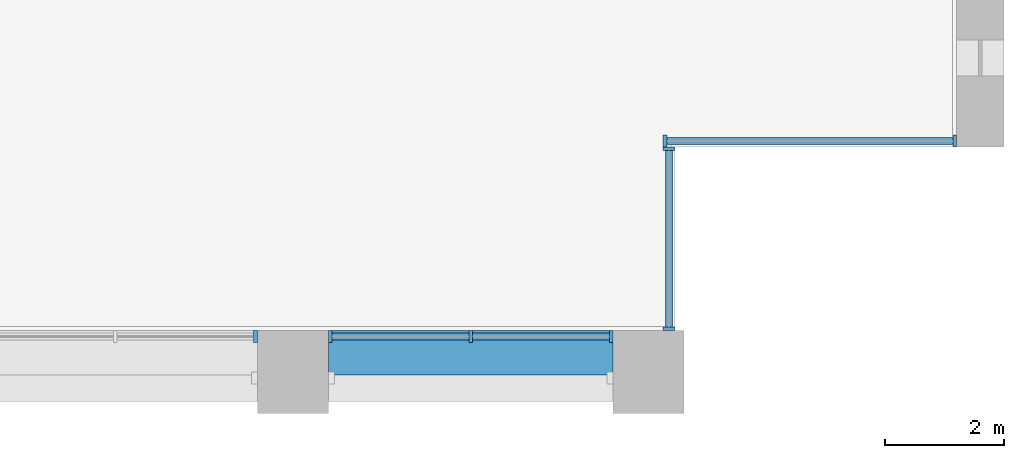
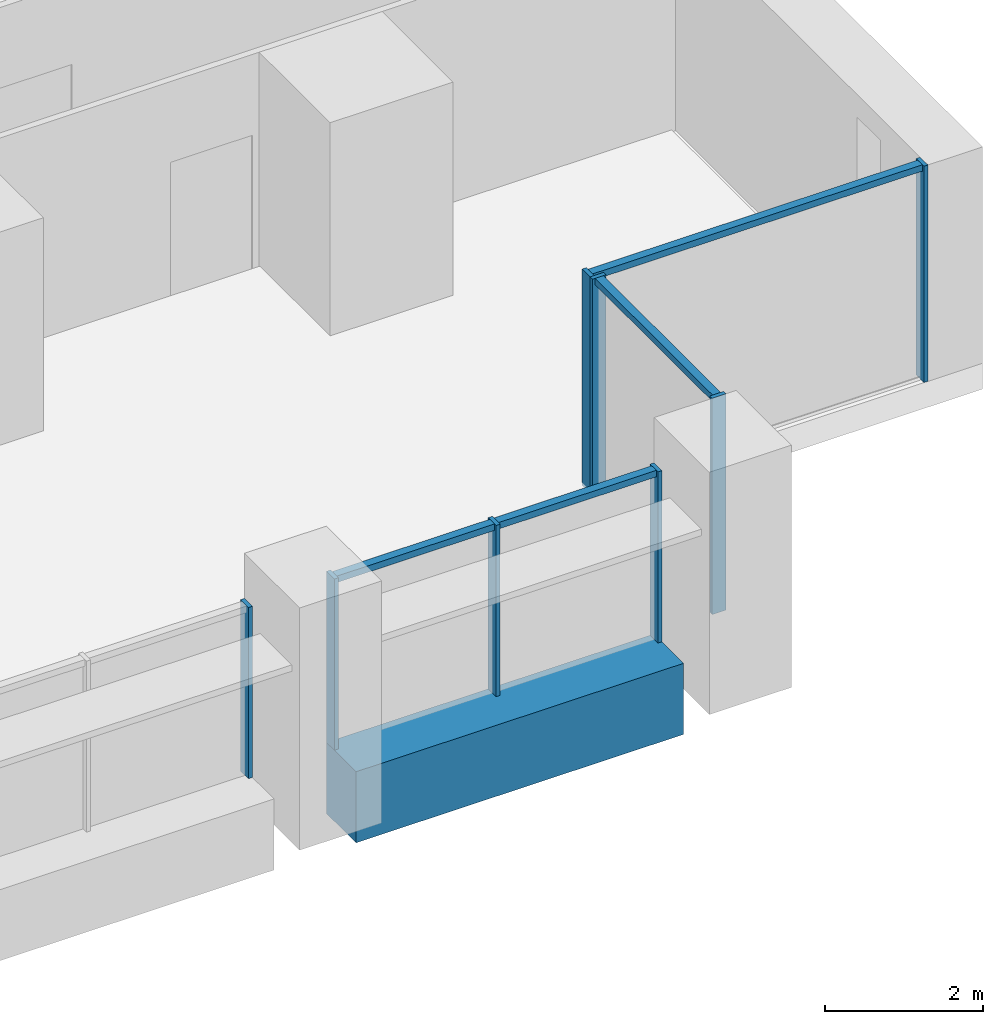
# One storey, part 5 of 18: 12 members, 1 beam, 4 elements without a shape of their own.
"""IFC4 building model written with IfcOpenShell, lengths in metres."""

from ifc_helpers import new_model, si_unit, direction, frame, origin, origin_2d, place, context, subcontext, project, spatial, rectangle, extrude, material, material_profile, profile_set, type_object, element, aggregate, save


model = new_model("IFC4")

# Units and contexts
model_context = context("Model", 3, precision=1e-05, world=origin(), true_north=direction((0.0, 1.0)))
body_context = subcontext(model_context, "Body", "Model", "MODEL_VIEW")
ifc_project = project(units=[si_unit("LENGTHUNIT", "METRE"), si_unit("AREAUNIT", "SQUARE_METRE"), si_unit("VOLUMEUNIT", "CUBIC_METRE"), si_unit("PLANEANGLEUNIT", "RADIAN"), si_unit("MASSUNIT", "GRAM", prefix="KILO")], contexts=[model_context])

# Site, building, storey
site_placement = place(None, origin())
site = spatial("IfcSite", under=ifc_project, at=site_placement, CompositionType="ELEMENT")
building_placement = place(site_placement, origin())
building = spatial("IfcBuilding", under=site, at=building_placement, Name="Calvaro Tower", CompositionType="ELEMENT")
storey_placement = place(building_placement, frame((0.0, 0.0, 30.0)))
storey = spatial("IfcBuildingStorey", under=building, at=storey_placement, Name="L06", CompositionType="ELEMENT", Elevation=30.0)

# Curtain wall, member
ifc_material_1 = material(Name="Anodised aluminium", Category="aluminium")
curtain_wall_type = type_object("IfcCurtainWallType", Name="Office curtain wall, lower zone", PredefinedType="NOTDEFINED", material=ifc_material_1)
curtain_wall_1_placement = place(storey_placement, origin())
curtain_wall_1 = element("IfcCurtainWall", 1, at=curtain_wall_1_placement, inside=storey, type_object=curtain_wall_type, Name="CW1 south curtain wall", PredefinedType="NOTDEFINED")
ifc_material_2 = material(Name="Anodised aluminium", Category="aluminium")
ifc_material_profile_1 = material_profile(ifc_material_2, rectangle(XDim=0.199951171875, YDim=0.06005859375, at=origin_2d()), Name="Mullion S1 60 x 200")
ifc_profile_set_1 = profile_set([ifc_material_profile_1], Name="Anodised aluminium")
member_type_1 = type_object("IfcMemberType", Name="Mullion S1 60 x 200", PredefinedType="MULLION", material=ifc_profile_set_1)
member_1_placement = place(storey_placement, frame((65.3701171875, 1.300048828125, 0.0), z_axis=(0.0, 0.0, 1.0), x_axis=(0.0, 1.0, 0.0)))
member_1 = element("IfcMember", 2, at=member_1_placement, type_object=member_type_1, Name="CW1 mullion 3", PredefinedType="MULLION", context=body_context, shape_type="SweptSolid", body=[
    extrude(rectangle(XDim=0.199951171875, YDim=0.06005859375, at=origin_2d()), origin(), (0.0, 0.0, 1.0), 2.64990234375),
])
aggregate(curtain_wall_1, [member_1])

# Curtain wall, members
curtain_wall_2_placement = place(storey_placement, origin())
curtain_wall_2 = element("IfcCurtainWall", 3, at=curtain_wall_2_placement, inside=storey, type_object=curtain_wall_type, Name="CW1 south curtain wall", PredefinedType="NOTDEFINED")
member_2_placement = place(storey_placement, frame((66.6298828125, 1.300048828125, 0.0), z_axis=(0.0, 0.0, 1.0), x_axis=(0.0, 1.0, 0.0)))
member_2 = element("IfcMember", 4, at=member_2_placement, type_object=member_type_1, Name="CW1 mullion 1", PredefinedType="MULLION", context=body_context, shape_type="SweptSolid", body=[
    extrude(rectangle(XDim=0.199951171875, YDim=0.06005859375, at=origin_2d()), origin(), (0.0, 0.0, 1.0), 2.64990234375),
])
member_3_placement = place(storey_placement, frame((69.0, 1.300048828125, 0.0), z_axis=(0.0, 0.0, 1.0), x_axis=(0.0, 1.0, 0.0)))
member_3 = element("IfcMember", 5, at=member_3_placement, type_object=member_type_1, Name="CW1 mullion 2", PredefinedType="MULLION", context=body_context, shape_type="SweptSolid", body=[
    extrude(rectangle(XDim=0.199951171875, YDim=0.06005859375, at=origin_2d()), origin(), (0.0, 0.0, 1.0), 2.64990234375),
])
member_4_placement = place(storey_placement, frame((71.3701171875, 1.300048828125, 0.0), z_axis=(0.0, 0.0, 1.0), x_axis=(0.0, 1.0, 0.0)))
member_4 = element("IfcMember", 6, at=member_4_placement, type_object=member_type_1, Name="CW1 mullion 3", PredefinedType="MULLION", context=body_context, shape_type="SweptSolid", body=[
    extrude(rectangle(XDim=0.199951171875, YDim=0.06005859375, at=origin_2d()), origin(), (0.0, 0.0, 1.0), 2.64990234375),
])

curtain_wall_3_placement = place(storey_placement, origin())
curtain_wall_3 = element("IfcCurtainWall", 7, at=curtain_wall_3_placement, inside=storey, type_object=curtain_wall_type, Name="CW1 corner curtain wall", PredefinedType="NOTDEFINED")
member_5_placement = place(storey_placement, frame((72.35009765625, 1.429931640625, 0.0), z_axis=(0.0, 0.0, 1.0), x_axis=(-1.0, 0.0, 0.0)))
member_5 = element("IfcMember", 8, at=member_5_placement, type_object=member_type_1, Name="CW1 mullion 1", PredefinedType="MULLION", context=body_context, shape_type="SweptSolid", body=[
    extrude(rectangle(XDim=0.199951171875, YDim=0.06005859375, at=origin_2d()), origin(), (0.0, 0.0, 1.0), 3.35009765625),
])
member_6_placement = place(storey_placement, frame((72.35009765625, 4.469970703125, 0.0), z_axis=(0.0, 0.0, 1.0), x_axis=(-1.0, 0.0, 0.0)))
member_6 = element("IfcMember", 9, at=member_6_placement, type_object=member_type_1, Name="CW1 mullion 2", PredefinedType="MULLION", context=body_context, shape_type="SweptSolid", body=[
    extrude(rectangle(XDim=0.199951171875, YDim=0.06005859375, at=origin_2d()), origin(), (0.0, 0.0, 1.0), 3.35009765625),
])

curtain_wall_4_placement = place(storey_placement, origin())
curtain_wall_4 = element("IfcCurtainWall", 10, at=curtain_wall_4_placement, inside=storey, type_object=curtain_wall_type, Name="CW1 corner curtain wall", PredefinedType="NOTDEFINED")
member_7_placement = place(storey_placement, frame((72.280029296875, 4.60009765625, 0.0), z_axis=(0.0, 0.0, 1.0), x_axis=(0.0, 1.0, 0.0)))
member_7 = element("IfcMember", 11, at=member_7_placement, type_object=member_type_1, Name="CW1 mullion 1", PredefinedType="MULLION", context=body_context, shape_type="SweptSolid", body=[
    extrude(rectangle(XDim=0.199951171875, YDim=0.06005859375, at=origin_2d()), origin(), (0.0, 0.0, 1.0), 3.35009765625),
])
member_8_placement = place(storey_placement, frame((77.169921875, 4.60009765625, 0.0), z_axis=(0.0, 0.0, 1.0), x_axis=(0.0, 1.0, 0.0)))
member_8 = element("IfcMember", 12, at=member_8_placement, type_object=member_type_1, Name="CW1 mullion 2", PredefinedType="MULLION", context=body_context, shape_type="SweptSolid", body=[
    extrude(rectangle(XDim=0.199951171875, YDim=0.06005859375, at=origin_2d()), origin(), (0.0, 0.0, 1.0), 3.35009765625),
])

# Beam
ifc_material_3 = material(Name="Concrete C50/60 precast", Category="concrete")
ifc_material_profile_2 = material_profile(ifc_material_3, rectangle(XDim=0.75, YDim=1.10009765625, at=origin_2d()), Name="RC 750x1100")
ifc_profile_set_2 = profile_set([ifc_material_profile_2], Name="Concrete C50/60 precast")
beam_type = type_object("IfcBeamType", Name="Spandrel beam 750x1100 C50/60", PredefinedType="SPANDREL", material=ifc_profile_set_2)
beam_placement = place(storey_placement, frame((66.60009765625, 1.02490234375, -0.550048828125), z_axis=(1.0, 0.0, 0.0), x_axis=(0.0, 1.0, 0.0)))
element("IfcBeam", 13, at=beam_placement, inside=storey, type_object=beam_type, Name="Spandrel beam", PredefinedType="SPANDREL", context=body_context, shape_type="SweptSolid", body=[
    extrude(rectangle(XDim=0.75, YDim=1.10009765625, at=origin_2d()), origin(), (0.0, 0.0, 1.0), 4.7998046875),
])

# Member
ifc_material_4 = material(Name="Anodised aluminium", Category="aluminium")
ifc_material_profile_3 = material_profile(ifc_material_4, rectangle(XDim=0.1201171875, YDim=0.10009765625, at=origin_2d()), Name="Transom S1 100 x 120")
ifc_profile_set_3 = profile_set([ifc_material_profile_3], Name="Anodised aluminium")
member_type_2 = type_object("IfcMemberType", Name="Transom S1 100 x 120", PredefinedType="USERDEFINED", material=ifc_profile_set_3)
member_9_placement = place(storey_placement, frame((66.659912109375, 1.300048828125, 2.60009765625), z_axis=(1.0, 0.0, 0.0), x_axis=(0.0, 1.0, 0.0)))
member_9 = element("IfcMember", 14, at=member_9_placement, type_object=member_type_2, Name="CW1 transom 1.1", ObjectType="TRANSOM", PredefinedType="USERDEFINED", context=body_context, shape_type="SweptSolid", body=[
    extrude(rectangle(XDim=0.1201171875, YDim=0.10009765625, at=origin_2d()), origin(), (0.0, 0.0, 1.0), 2.31005859375),
])

member_10_placement = place(storey_placement, frame((69.030029296875, 1.300048828125, 2.60009765625), z_axis=(1.0, 0.0, 0.0), x_axis=(0.0, 1.0, 0.0)))
member_10 = element("IfcMember", 15, at=member_10_placement, type_object=member_type_2, Name="CW1 transom 2.1", ObjectType="TRANSOM", PredefinedType="USERDEFINED", context=body_context, shape_type="SweptSolid", body=[
    extrude(rectangle(XDim=0.1201171875, YDim=0.10009765625, at=origin_2d()), origin(), (0.0, 0.0, 1.0), 2.31005859375),
])

aggregate(curtain_wall_2, [member_2, member_3, member_4, member_9, member_10])

member_11_placement = place(storey_placement, frame((72.35009765625, 1.4599609375, 3.300048828125), z_axis=(0.0, 1.0, 0.0), x_axis=(-1.0, 0.0, 0.0)))
member_11 = element("IfcMember", 16, at=member_11_placement, type_object=member_type_2, Name="CW1 transom 1.1", ObjectType="TRANSOM", PredefinedType="USERDEFINED", context=body_context, shape_type="SweptSolid", body=[
    extrude(rectangle(XDim=0.1201171875, YDim=0.10009765625, at=origin_2d()), origin(), (0.0, 0.0, 1.0), 2.97998046875),
])

aggregate(curtain_wall_3, [member_5, member_6, member_11])

member_12_placement = place(storey_placement, frame((72.31005859375, 4.60009765625, 3.300048828125), z_axis=(1.0, 0.0, 0.0), x_axis=(0.0, 1.0, 0.0)))
member_12 = element("IfcMember", 17, at=member_12_placement, type_object=member_type_2, Name="CW1 transom 1.1", ObjectType="TRANSOM", PredefinedType="USERDEFINED", context=body_context, shape_type="SweptSolid", body=[
    extrude(rectangle(XDim=0.1201171875, YDim=0.10009765625, at=origin_2d()), origin(), (0.0, 0.0, 1.0), 4.829833984375),
])

aggregate(curtain_wall_4, [member_7, member_8, member_12])

save(model, "model.ifc")
